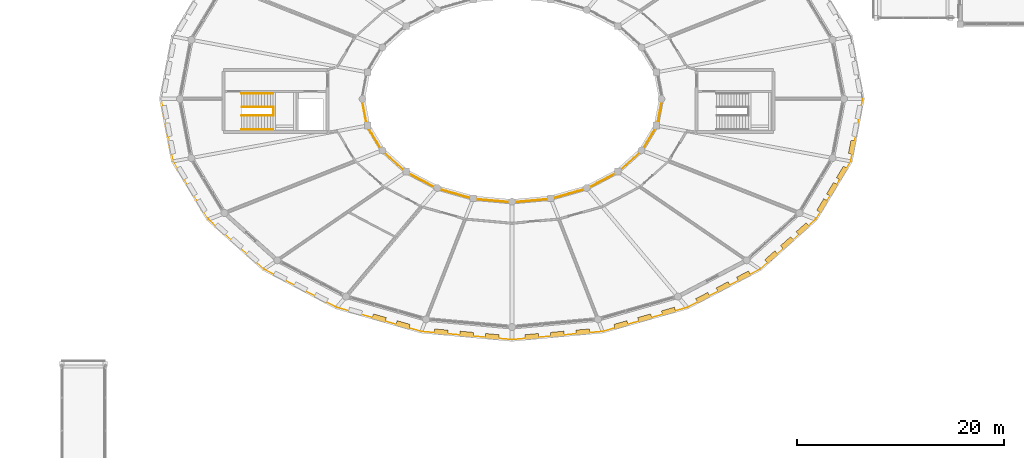
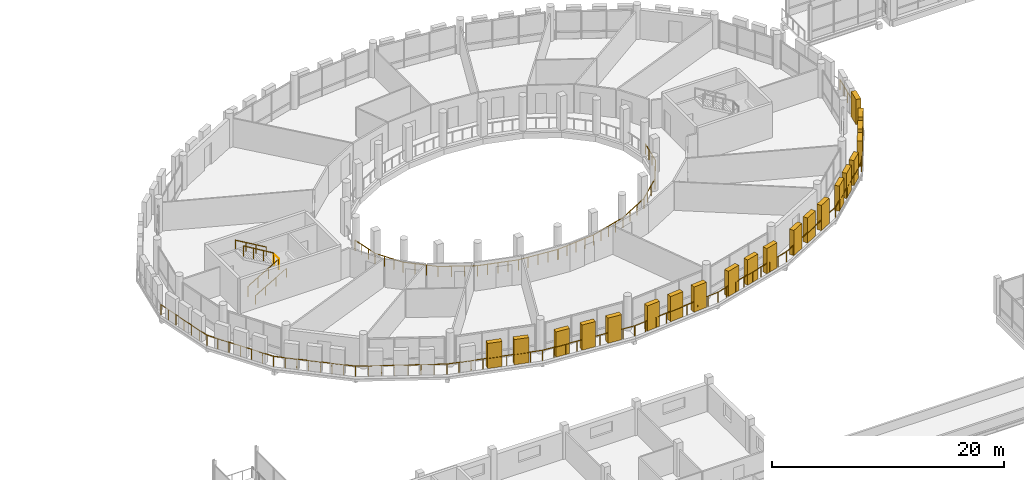
# One storey, part 123 of 128: 21 shading devices, 9 railings.
"""IFC4 building model written with IfcOpenShell, lengths in metres."""

from ifc_helpers import new_model, si_unit, direction, frame, origin, origin_2d, place, context, subcontext, project, spatial, rectangle, circle, extrude, material, type_object, element, save


model = new_model("IFC4")

# Units and contexts
model_context = context("Model", 3, precision=1e-05, world=origin(), true_north=direction((0.0, 1.0)))
body_context = subcontext(model_context, "Body", "Model", "MODEL_VIEW")
ifc_project = project(units=[si_unit("LENGTHUNIT", "METRE"), si_unit("AREAUNIT", "SQUARE_METRE"), si_unit("VOLUMEUNIT", "CUBIC_METRE"), si_unit("PLANEANGLEUNIT", "RADIAN"), si_unit("MASSUNIT", "GRAM", prefix="KILO")], contexts=[model_context])

# Site, building, storey
site_placement = place(None, origin())
site = spatial("IfcSite", under=ifc_project, at=site_placement, CompositionType="ELEMENT")
building_placement = place(site_placement, origin())
building = spatial("IfcBuilding", under=site, at=building_placement, Name="Zornivar Specialist Clinic", CompositionType="ELEMENT")
storey_placement = place(building_placement, frame((0.0, 0.0, 4.5)))
storey = spatial("IfcBuildingStorey", under=building, at=storey_placement, Name="L01", CompositionType="ELEMENT", Elevation=4.5)

# Railings
ifc_material_1 = material(Name="Painted Steel and Oiled Timber Balustrade", Category="steel")
railing_type_1 = type_object("IfcRailingType", Name="GRD-EXT-BALUST-1100", PredefinedType="BALUSTRADE", material=ifc_material_1)
railing_1_placement = place(storey_placement, frame((59.74609375, 57.571044921875, 0.0)))
element("IfcRailing", 1, at=railing_1_placement, inside=storey, type_object=railing_type_1, Name="rail:V1:L01:balc:q2", PredefinedType="BALUSTRADE", context=body_context, shape_type="SweptSolid", body=[
    extrude(circle(Radius=0.02392578125, at=origin_2d()), frame((0.0, 0.0, 1.076171875), z_axis=(0.188188814184, -0.982132867903, 0.0), x_axis=(0.982132867903, 0.188188814184, 0.0)), (0.0, 0.0, 1.0), 6.105224609375),
    extrude(circle(Radius=0.02392578125, at=origin_2d()), frame((1.14892578125, -5.99609375, 1.076171875), z_axis=(0.516422508188, -0.856333926127, 0.0), x_axis=(0.856333926127, 0.516422508188, 0.0)), (0.0, 0.0, 1.0), 6.5546875),
    extrude(circle(Radius=0.02392578125, at=origin_2d()), frame((4.533935546875, -11.609130859375, 1.076171875), z_axis=(0.745201542332, -0.666839306959, 0.0), x_axis=(0.666839306959, 0.745201542332, 0.0)), (0.0, 0.0, 1.0), 7.224853515625),
    extrude(circle(Radius=0.02392578125, at=origin_2d()), frame((9.91796875, -16.427001953125, 1.076171875), z_axis=(0.884811989173, -0.465948220101, 0.0), x_axis=(0.465948220101, 0.884811989173, 0.0)), (0.0, 0.0, 1.0), 7.92822265625),
    extrude(circle(Radius=0.02392578125, at=origin_2d()), frame((16.932861328125, -20.12109375, 1.076171875), z_axis=(0.961950479971, -0.273223853432, 0.0), x_axis=(0.273223853432, 0.961950479971, 0.0)), (0.0, 0.0, 1.0), 8.487060546875),
    extrude(circle(Radius=0.02392578125, at=origin_2d()), frame((25.096923828125, -22.43994140625, 1.076171875), z_axis=(0.995947380316, -0.089937843218, 0.0), x_axis=(0.089937843218, 0.995947380316, 0.0)), (0.0, 0.0, 1.0), 8.762451171875),
    extrude(circle(Radius=0.02099609375, at=origin_2d()), origin(), (0.0, 0.0, 1.0), 1.052001953125),
    extrude(circle(Radius=0.02099609375, at=origin_2d()), frame((0.19140625, -0.999267578125, 0.0)), (0.0, 0.0, 1.0), 1.052001953125),
    extrude(circle(Radius=0.02099609375, at=origin_2d()), frame((0.383056640625, -1.998779296875, 0.0)), (0.0, 0.0, 1.0), 1.052001953125),
    extrude(circle(Radius=0.02099609375, at=origin_2d()), frame((0.574462890625, -2.998046875, 0.0)), (0.0, 0.0, 1.0), 1.052001953125),
    extrude(circle(Radius=0.02099609375, at=origin_2d()), frame((0.765869140625, -3.997314453125, 0.0)), (0.0, 0.0, 1.0), 1.052001953125),
    extrude(circle(Radius=0.02099609375, at=origin_2d()), frame((0.95751953125, -4.996826171875, 0.0)), (0.0, 0.0, 1.0), 1.052001953125),
    extrude(circle(Radius=0.02099609375, at=origin_2d()), frame((1.14892578125, -5.99609375, 0.0)), (0.0, 0.0, 1.0), 1.052001953125),
    extrude(circle(Radius=0.02099609375, at=origin_2d()), frame((1.713134765625, -6.931640625, 0.0)), (0.0, 0.0, 1.0), 1.052001953125),
    extrude(circle(Radius=0.02099609375, at=origin_2d()), frame((2.27734375, -7.8671875, 0.0)), (0.0, 0.0, 1.0), 1.052001953125),
    extrude(circle(Radius=0.02099609375, at=origin_2d()), frame((2.84130859375, -8.802734375, 0.0)), (0.0, 0.0, 1.0), 1.052001953125),
    extrude(circle(Radius=0.02099609375, at=origin_2d()), frame((3.405517578125, -9.738037109375, 0.0)), (0.0, 0.0, 1.0), 1.052001953125),
    extrude(circle(Radius=0.02099609375, at=origin_2d()), frame((3.9697265625, -10.673583984375, 0.0)), (0.0, 0.0, 1.0), 1.052001953125),
    extrude(circle(Radius=0.02099609375, at=origin_2d()), frame((4.533935546875, -11.609130859375, 0.0)), (0.0, 0.0, 1.0), 1.052001953125),
    extrude(circle(Radius=0.02099609375, at=origin_2d()), frame((5.302978515625, -12.29736328125, 0.0)), (0.0, 0.0, 1.0), 1.052001953125),
    extrude(circle(Radius=0.02099609375, at=origin_2d()), frame((6.072265625, -12.985595703125, 0.0)), (0.0, 0.0, 1.0), 1.052001953125),
    extrude(circle(Radius=0.02099609375, at=origin_2d()), frame((6.84130859375, -13.673828125, 0.0)), (0.0, 0.0, 1.0), 1.052001953125),
    extrude(circle(Radius=0.02099609375, at=origin_2d()), frame((7.610595703125, -14.3623046875, 0.0)), (0.0, 0.0, 1.0), 1.052001953125),
    extrude(circle(Radius=0.02099609375, at=origin_2d()), frame((8.379638671875, -15.050537109375, 0.0)), (0.0, 0.0, 1.0), 1.052001953125),
    extrude(circle(Radius=0.02099609375, at=origin_2d()), frame((9.14892578125, -15.73876953125, 0.0)), (0.0, 0.0, 1.0), 1.052001953125),
    extrude(circle(Radius=0.02099609375, at=origin_2d()), frame((9.91796875, -16.427001953125, 0.0)), (0.0, 0.0, 1.0), 1.052001953125),
    extrude(circle(Radius=0.02099609375, at=origin_2d()), frame((10.920166015625, -16.954833984375, 0.0)), (0.0, 0.0, 1.0), 1.052001953125),
    extrude(circle(Radius=0.02099609375, at=origin_2d()), frame((11.922119140625, -17.482421875, 0.0)), (0.0, 0.0, 1.0), 1.052001953125),
    extrude(circle(Radius=0.02099609375, at=origin_2d()), frame((12.92431640625, -18.01025390625, 0.0)), (0.0, 0.0, 1.0), 1.052001953125),
    extrude(circle(Radius=0.02099609375, at=origin_2d()), frame((13.926513671875, -18.537841796875, 0.0)), (0.0, 0.0, 1.0), 1.052001953125),
    extrude(circle(Radius=0.02099609375, at=origin_2d()), frame((14.9287109375, -19.065673828125, 0.0)), (0.0, 0.0, 1.0), 1.052001953125),
    extrude(circle(Radius=0.02099609375, at=origin_2d()), frame((15.9306640625, -19.59326171875, 0.0)), (0.0, 0.0, 1.0), 1.052001953125),
    extrude(circle(Radius=0.02099609375, at=origin_2d()), frame((16.932861328125, -20.12109375, 0.0)), (0.0, 0.0, 1.0), 1.052001953125),
    extrude(circle(Radius=0.02099609375, at=origin_2d()), frame((17.953369140625, -20.410888671875, 0.0)), (0.0, 0.0, 1.0), 1.052001953125),
    extrude(circle(Radius=0.02099609375, at=origin_2d()), frame((18.973876953125, -20.70068359375, 0.0)), (0.0, 0.0, 1.0), 1.052001953125),
    extrude(circle(Radius=0.02099609375, at=origin_2d()), frame((19.994384765625, -20.99072265625, 0.0)), (0.0, 0.0, 1.0), 1.052001953125),
    extrude(circle(Radius=0.02099609375, at=origin_2d()), frame((21.014892578125, -21.280517578125, 0.0)), (0.0, 0.0, 1.0), 1.052001953125),
    extrude(circle(Radius=0.02099609375, at=origin_2d()), frame((22.035400390625, -21.5703125, 0.0)), (0.0, 0.0, 1.0), 1.052001953125),
    extrude(circle(Radius=0.02099609375, at=origin_2d()), frame((23.055908203125, -21.8603515625, 0.0)), (0.0, 0.0, 1.0), 1.052001953125),
    extrude(circle(Radius=0.02099609375, at=origin_2d()), frame((24.076416015625, -22.150146484375, 0.0)), (0.0, 0.0, 1.0), 1.052001953125),
    extrude(circle(Radius=0.02099609375, at=origin_2d()), frame((25.096923828125, -22.43994140625, 0.0)), (0.0, 0.0, 1.0), 1.052001953125),
    extrude(circle(Radius=0.02099609375, at=origin_2d()), frame((26.187744140625, -22.53857421875, 0.0)), (0.0, 0.0, 1.0), 1.052001953125),
    extrude(circle(Radius=0.02099609375, at=origin_2d()), frame((27.27880859375, -22.636962890625, 0.0)), (0.0, 0.0, 1.0), 1.052001953125),
    extrude(circle(Radius=0.02099609375, at=origin_2d()), frame((28.36962890625, -22.7353515625, 0.0)), (0.0, 0.0, 1.0), 1.052001953125),
    extrude(circle(Radius=0.02099609375, at=origin_2d()), frame((29.46044921875, -22.833984375, 0.0)), (0.0, 0.0, 1.0), 1.052001953125),
    extrude(circle(Radius=0.02099609375, at=origin_2d()), frame((30.55126953125, -22.9326171875, 0.0)), (0.0, 0.0, 1.0), 1.052001953125),
    extrude(circle(Radius=0.02099609375, at=origin_2d()), frame((31.64208984375, -23.031005859375, 0.0)), (0.0, 0.0, 1.0), 1.052001953125),
    extrude(circle(Radius=0.02099609375, at=origin_2d()), frame((32.733154296875, -23.12939453125, 0.0)), (0.0, 0.0, 1.0), 1.052001953125),
    extrude(circle(Radius=0.02099609375, at=origin_2d()), frame((33.823974609375, -23.22802734375, 0.0)), (0.0, 0.0, 1.0), 1.052001953125),
])
railing_2_placement = place(storey_placement, frame((93.6298828125, 34.343017578125, 0.0)))
element("IfcRailing", 2, at=railing_2_placement, inside=storey, type_object=railing_type_1, Name="rail:V1:L01:balc:q3", PredefinedType="BALUSTRADE", context=body_context, shape_type="SweptSolid", body=[
    extrude(circle(Radius=0.02392578125, at=origin_2d()), frame((0.0, 0.0, 1.076171875), z_axis=(0.995947380316, 0.089937843218, 0.0), x_axis=(-0.089937843218, 0.995947380316, 0.0)), (0.0, 0.0, 1.0), 8.762451171875),
    extrude(circle(Radius=0.02392578125, at=origin_2d()), frame((8.72705078125, 0.7880859375, 1.076171875), z_axis=(0.961950479971, 0.273223853432, 0.0), x_axis=(-0.273223853432, 0.961950479971, 0.0)), (0.0, 0.0, 1.0), 8.487060546875),
    extrude(circle(Radius=0.02392578125, at=origin_2d()), frame((16.89111328125, 3.10693359375, 1.076171875), z_axis=(0.884811989173, 0.465948220101, 0.0), x_axis=(-0.465948220101, 0.884811989173, 0.0)), (0.0, 0.0, 1.0), 7.92822265625),
    extrude(circle(Radius=0.02392578125, at=origin_2d()), frame((23.906005859375, 6.801025390625, 1.076171875), z_axis=(0.745201542332, 0.666839306959, 0.0), x_axis=(-0.666839306959, 0.745201542332, 0.0)), (0.0, 0.0, 1.0), 7.224853515625),
    extrude(circle(Radius=0.02392578125, at=origin_2d()), frame((29.2900390625, 11.618896484375, 1.076171875), z_axis=(0.516422508188, 0.856333926127, 0.0), x_axis=(-0.856333926127, 0.516422508188, 0.0)), (0.0, 0.0, 1.0), 6.5546875),
    extrude(circle(Radius=0.02392578125, at=origin_2d()), frame((32.675048828125, 17.23193359375, 1.076171875), z_axis=(0.188227386656, 0.982125476155, 0.0), x_axis=(-0.982125476155, 0.188227386656, 0.0)), (0.0, 0.0, 1.0), 6.105224609375),
    extrude(circle(Radius=0.02099609375, at=origin_2d()), origin(), (0.0, 0.0, 1.0), 1.052001953125),
    extrude(circle(Radius=0.02099609375, at=origin_2d()), frame((1.0908203125, 0.0986328125, 0.0)), (0.0, 0.0, 1.0), 1.052001953125),
    extrude(circle(Radius=0.02099609375, at=origin_2d()), frame((2.181640625, 0.197021484375, 0.0)), (0.0, 0.0, 1.0), 1.052001953125),
    extrude(circle(Radius=0.02099609375, at=origin_2d()), frame((3.272705078125, 0.29541015625, 0.0)), (0.0, 0.0, 1.0), 1.052001953125),
    extrude(circle(Radius=0.02099609375, at=origin_2d()), frame((4.363525390625, 0.39404296875, 0.0)), (0.0, 0.0, 1.0), 1.052001953125),
    extrude(circle(Radius=0.02099609375, at=origin_2d()), frame((5.454345703125, 0.49267578125, 0.0)), (0.0, 0.0, 1.0), 1.052001953125),
    extrude(circle(Radius=0.02099609375, at=origin_2d()), frame((6.54541015625, 0.591064453125, 0.0)), (0.0, 0.0, 1.0), 1.052001953125),
    extrude(circle(Radius=0.02099609375, at=origin_2d()), frame((7.63623046875, 0.689453125, 0.0)), (0.0, 0.0, 1.0), 1.052001953125),
    extrude(circle(Radius=0.02099609375, at=origin_2d()), frame((8.72705078125, 0.7880859375, 0.0)), (0.0, 0.0, 1.0), 1.052001953125),
    extrude(circle(Radius=0.02099609375, at=origin_2d()), frame((9.74755859375, 1.077880859375, 0.0)), (0.0, 0.0, 1.0), 1.052001953125),
    extrude(circle(Radius=0.02099609375, at=origin_2d()), frame((10.76806640625, 1.36767578125, 0.0)), (0.0, 0.0, 1.0), 1.052001953125),
    extrude(circle(Radius=0.02099609375, at=origin_2d()), frame((11.78857421875, 1.65771484375, 0.0)), (0.0, 0.0, 1.0), 1.052001953125),
    extrude(circle(Radius=0.02099609375, at=origin_2d()), frame((12.80908203125, 1.947509765625, 0.0)), (0.0, 0.0, 1.0), 1.052001953125),
    extrude(circle(Radius=0.02099609375, at=origin_2d()), frame((13.82958984375, 2.2373046875, 0.0)), (0.0, 0.0, 1.0), 1.052001953125),
    extrude(circle(Radius=0.02099609375, at=origin_2d()), frame((14.85009765625, 2.52734375, 0.0)), (0.0, 0.0, 1.0), 1.052001953125),
    extrude(circle(Radius=0.02099609375, at=origin_2d()), frame((15.87060546875, 2.817138671875, 0.0)), (0.0, 0.0, 1.0), 1.052001953125),
    extrude(circle(Radius=0.02099609375, at=origin_2d()), frame((16.89111328125, 3.10693359375, 0.0)), (0.0, 0.0, 1.0), 1.052001953125),
    extrude(circle(Radius=0.02099609375, at=origin_2d()), frame((17.893310546875, 3.634765625, 0.0)), (0.0, 0.0, 1.0), 1.052001953125),
    extrude(circle(Radius=0.02099609375, at=origin_2d()), frame((18.895263671875, 4.162353515625, 0.0)), (0.0, 0.0, 1.0), 1.052001953125),
    extrude(circle(Radius=0.02099609375, at=origin_2d()), frame((19.8974609375, 4.690185546875, 0.0)), (0.0, 0.0, 1.0), 1.052001953125),
    extrude(circle(Radius=0.02099609375, at=origin_2d()), frame((20.899658203125, 5.2177734375, 0.0)), (0.0, 0.0, 1.0), 1.052001953125),
    extrude(circle(Radius=0.02099609375, at=origin_2d()), frame((21.90185546875, 5.74560546875, 0.0)), (0.0, 0.0, 1.0), 1.052001953125),
    extrude(circle(Radius=0.02099609375, at=origin_2d()), frame((22.90380859375, 6.273193359375, 0.0)), (0.0, 0.0, 1.0), 1.052001953125),
    extrude(circle(Radius=0.02099609375, at=origin_2d()), frame((23.906005859375, 6.801025390625, 0.0)), (0.0, 0.0, 1.0), 1.052001953125),
    extrude(circle(Radius=0.02099609375, at=origin_2d()), frame((24.675048828125, 7.4892578125, 0.0)), (0.0, 0.0, 1.0), 1.052001953125),
    extrude(circle(Radius=0.02099609375, at=origin_2d()), frame((25.4443359375, 8.177490234375, 0.0)), (0.0, 0.0, 1.0), 1.052001953125),
    extrude(circle(Radius=0.02099609375, at=origin_2d()), frame((26.21337890625, 8.86572265625, 0.0)), (0.0, 0.0, 1.0), 1.052001953125),
    extrude(circle(Radius=0.02099609375, at=origin_2d()), frame((26.982666015625, 9.55419921875, 0.0)), (0.0, 0.0, 1.0), 1.052001953125),
    extrude(circle(Radius=0.02099609375, at=origin_2d()), frame((27.751708984375, 10.242431640625, 0.0)), (0.0, 0.0, 1.0), 1.052001953125),
    extrude(circle(Radius=0.02099609375, at=origin_2d()), frame((28.52099609375, 10.9306640625, 0.0)), (0.0, 0.0, 1.0), 1.052001953125),
    extrude(circle(Radius=0.02099609375, at=origin_2d()), frame((29.2900390625, 11.618896484375, 0.0)), (0.0, 0.0, 1.0), 1.052001953125),
    extrude(circle(Radius=0.02099609375, at=origin_2d()), frame((29.854248046875, 12.554443359375, 0.0)), (0.0, 0.0, 1.0), 1.052001953125),
    extrude(circle(Radius=0.02099609375, at=origin_2d()), frame((30.41845703125, 13.489990234375, 0.0)), (0.0, 0.0, 1.0), 1.052001953125),
    extrude(circle(Radius=0.02099609375, at=origin_2d()), frame((30.982421875, 14.42529296875, 0.0)), (0.0, 0.0, 1.0), 1.052001953125),
    extrude(circle(Radius=0.02099609375, at=origin_2d()), frame((31.546630859375, 15.36083984375, 0.0)), (0.0, 0.0, 1.0), 1.052001953125),
    extrude(circle(Radius=0.02099609375, at=origin_2d()), frame((32.11083984375, 16.29638671875, 0.0)), (0.0, 0.0, 1.0), 1.052001953125),
    extrude(circle(Radius=0.02099609375, at=origin_2d()), frame((32.675048828125, 17.23193359375, 0.0)), (0.0, 0.0, 1.0), 1.052001953125),
    extrude(circle(Radius=0.02099609375, at=origin_2d()), frame((32.86669921875, 18.231201171875, 0.0)), (0.0, 0.0, 1.0), 1.052001953125),
    extrude(circle(Radius=0.02099609375, at=origin_2d()), frame((33.05810546875, 19.230712890625, 0.0)), (0.0, 0.0, 1.0), 1.052001953125),
    extrude(circle(Radius=0.02099609375, at=origin_2d()), frame((33.24951171875, 20.22998046875, 0.0)), (0.0, 0.0, 1.0), 1.052001953125),
    extrude(circle(Radius=0.02099609375, at=origin_2d()), frame((33.441162109375, 21.229248046875, 0.0)), (0.0, 0.0, 1.0), 1.052001953125),
    extrude(circle(Radius=0.02099609375, at=origin_2d()), frame((33.6328125, 22.228759765625, 0.0)), (0.0, 0.0, 1.0), 1.052001953125),
    extrude(circle(Radius=0.02099609375, at=origin_2d()), frame((33.82421875, 23.22802734375, 0.0)), (0.0, 0.0, 1.0), 1.052001953125),
])
ifc_material_2 = material(Name="Brushed Stainless Steel Stair Guardrail", Category="steel")
railing_type_2 = type_object("IfcRailingType", Name="GRD-INT-STAIR-1100", PredefinedType="GUARDRAIL", material=ifc_material_2)
railing_3_placement = place(storey_placement, frame((67.5400390625, 55.97998046875, 0.162109375)))
element("IfcRailing", 3, at=railing_3_placement, inside=storey, type_object=railing_type_2, Name="stair:C3:L01:grd1", PredefinedType="GUARDRAIL", context=body_context, shape_type="SweptSolid", body=[
    extrude(circle(Radius=0.02392578125, at=origin_2d()), frame((0.0, 0.0, 1.076171875), z_axis=(0.859025016629, 0.0, 0.511933609764), x_axis=(0.0, 1.0, 0.0)), (0.0, 0.0, 1.0), 3.492431640625),
    extrude(circle(Radius=0.02099609375, at=origin_2d()), origin(), (0.0, 0.0, 1.0), 1.052001953125),
    extrude(circle(Radius=0.02099609375, at=origin_2d()), frame((1.0, 0.0, 0.595947265625)), (0.0, 0.0, 1.0), 1.052001953125),
    extrude(circle(Radius=0.02099609375, at=origin_2d()), frame((2.0, 0.0, 1.19189453125)), (0.0, 0.0, 1.0), 1.052001953125),
    extrude(circle(Radius=0.02099609375, at=origin_2d()), frame((3.0, 0.0, 1.787841796875)), (0.0, 0.0, 1.0), 1.052001953125),
])
railing_4_placement = place(storey_placement, frame((70.5400390625, 56.820068359375, 2.112060546875)))
element("IfcRailing", 4, at=railing_4_placement, inside=storey, type_object=railing_type_2, Name="stair:C3:L01:grd2", PredefinedType="GUARDRAIL", context=body_context, shape_type="SweptSolid", body=[
    extrude(circle(Radius=0.02392578125, at=origin_2d()), frame((0.0, 0.0, 1.076171875), z_axis=(-0.857511521609, 0.0, 0.514464760998), x_axis=(0.0, -1.0, 0.0)), (0.0, 0.0, 1.0), 3.47509765625),
    extrude(circle(Radius=0.02099609375, at=origin_2d()), origin(), (0.0, 0.0, 1.0), 1.052001953125),
    extrude(circle(Radius=0.02099609375, at=origin_2d()), frame((-0.993408203125, 0.0, 0.595947265625)), (0.0, 0.0, 1.0), 1.052001953125),
    extrude(circle(Radius=0.02099609375, at=origin_2d()), frame((-1.986572265625, 0.0, 1.19189453125)), (0.0, 0.0, 1.0), 1.052001953125),
    extrude(circle(Radius=0.02099609375, at=origin_2d()), frame((-2.97998046875, 0.0, 1.787841796875)), (0.0, 0.0, 1.0), 1.052001953125),
])
railing_5_placement = place(storey_placement, frame((70.610107421875, 55.97998046875, 1.949951171875)))
element("IfcRailing", 5, at=railing_5_placement, inside=storey, type_object=railing_type_2, Name="stair:C3:L01:grdl", PredefinedType="GUARDRAIL", context=body_context, shape_type="SweptSolid", body=[
    extrude(circle(Radius=0.02392578125, at=origin_2d()), frame((0.0, 0.0, 1.076171875), z_axis=(0.0, 1.0, 0.0), x_axis=(-1.0, 0.0, 0.0)), (0.0, 0.0, 1.0), 0.840087890625),
    extrude(circle(Radius=0.02099609375, at=origin_2d()), origin(), (0.0, 0.0, 1.0), 1.052001953125),
    extrude(circle(Radius=0.02099609375, at=origin_2d()), frame((0.0, 0.840087890625, 0.0)), (0.0, 0.0, 1.0), 1.052001953125),
])
railing_6_placement = place(storey_placement, frame((79.1259765625, 57.571044921875, 0.0)))
element("IfcRailing", 6, at=railing_6_placement, inside=storey, type_object=railing_type_2, Name="sg:V1:L01:atrium:q2", PredefinedType="GUARDRAIL", context=body_context, shape_type="SweptSolid", body=[
    extrude(circle(Radius=0.02392578125, at=origin_2d()), frame((0.0, 0.0, 1.076171875), z_axis=(0.187453881852, -0.982273405004, 0.0), x_axis=(0.982273405004, 0.187453881852, 0.0)), (0.0, 0.0, 1.0), 2.593017578125),
    extrude(circle(Radius=0.02392578125, at=origin_2d()), frame((0.486083984375, -2.547119140625, 1.076171875), z_axis=(0.51464941973, -0.857400708404, 0.0), x_axis=(0.857400708404, 0.51464941973, 0.0)), (0.0, 0.0, 1.0), 2.8037109375),
    extrude(circle(Radius=0.02392578125, at=origin_2d()), frame((1.928955078125, -4.950927734375, 1.076171875), z_axis=(0.74365166795, -0.668567271675, 0.0), x_axis=(0.668567271675, 0.74365166795, 0.0)), (0.0, 0.0, 1.0), 3.0888671875),
    extrude(circle(Radius=0.02392578125, at=origin_2d()), frame((4.22607421875, -7.01611328125, 1.076171875), z_axis=(0.883402524363, -0.46861495916, 0.0), x_axis=(0.46861495916, 0.883402524363, 0.0)), (0.0, 0.0, 1.0), 3.392578125),
    extrude(circle(Radius=0.02392578125, at=origin_2d()), frame((7.22314453125, -8.60595703125, 1.076171875), z_axis=(0.961186230387, -0.275900399627, 0.0), x_axis=(0.275900399627, 0.961186230387, 0.0)), (0.0, 0.0, 1.0), 3.635986328125),
    extrude(circle(Radius=0.02392578125, at=origin_2d()), frame((10.718017578125, -9.609130859375, 1.076171875), z_axis=(0.995889996682, -0.090571046743, 0.0), x_axis=(0.090571046743, 0.995889996682, 0.0)), (0.0, 0.0, 1.0), 3.741455078125),
    extrude(circle(Radius=0.02099609375, at=origin_2d()), origin(), (0.0, 0.0, 1.0), 1.052001953125),
    extrude(circle(Radius=0.02099609375, at=origin_2d()), frame((0.162109375, -0.84912109375, 0.0)), (0.0, 0.0, 1.0), 1.052001953125),
    extrude(circle(Radius=0.02099609375, at=origin_2d()), frame((0.323974609375, -1.697998046875, 0.0)), (0.0, 0.0, 1.0), 1.052001953125),
    extrude(circle(Radius=0.02099609375, at=origin_2d()), frame((0.486083984375, -2.547119140625, 0.0)), (0.0, 0.0, 1.0), 1.052001953125),
    extrude(circle(Radius=0.02099609375, at=origin_2d()), frame((0.967041015625, -3.348388671875, 0.0)), (0.0, 0.0, 1.0), 1.052001953125),
    extrude(circle(Radius=0.02099609375, at=origin_2d()), frame((1.447998046875, -4.149658203125, 0.0)), (0.0, 0.0, 1.0), 1.052001953125),
    extrude(circle(Radius=0.02099609375, at=origin_2d()), frame((1.928955078125, -4.950927734375, 0.0)), (0.0, 0.0, 1.0), 1.052001953125),
    extrude(circle(Radius=0.02099609375, at=origin_2d()), frame((2.694580078125, -5.639404296875, 0.0)), (0.0, 0.0, 1.0), 1.052001953125),
    extrude(circle(Radius=0.02099609375, at=origin_2d()), frame((3.46044921875, -6.32763671875, 0.0)), (0.0, 0.0, 1.0), 1.052001953125),
    extrude(circle(Radius=0.02099609375, at=origin_2d()), frame((4.22607421875, -7.01611328125, 0.0)), (0.0, 0.0, 1.0), 1.052001953125),
    extrude(circle(Radius=0.02099609375, at=origin_2d()), frame((5.22509765625, -7.546142578125, 0.0)), (0.0, 0.0, 1.0), 1.052001953125),
    extrude(circle(Radius=0.02099609375, at=origin_2d()), frame((6.22412109375, -8.075927734375, 0.0)), (0.0, 0.0, 1.0), 1.052001953125),
    extrude(circle(Radius=0.02099609375, at=origin_2d()), frame((7.22314453125, -8.60595703125, 0.0)), (0.0, 0.0, 1.0), 1.052001953125),
    extrude(circle(Radius=0.02099609375, at=origin_2d()), frame((8.096923828125, -8.856689453125, 0.0)), (0.0, 0.0, 1.0), 1.052001953125),
    extrude(circle(Radius=0.02099609375, at=origin_2d()), frame((8.970703125, -9.107421875, 0.0)), (0.0, 0.0, 1.0), 1.052001953125),
    extrude(circle(Radius=0.02099609375, at=origin_2d()), frame((9.84423828125, -9.3583984375, 0.0)), (0.0, 0.0, 1.0), 1.052001953125),
    extrude(circle(Radius=0.02099609375, at=origin_2d()), frame((10.718017578125, -9.609130859375, 0.0)), (0.0, 0.0, 1.0), 1.052001953125),
    extrude(circle(Radius=0.02099609375, at=origin_2d()), frame((11.6494140625, -9.69384765625, 0.0)), (0.0, 0.0, 1.0), 1.052001953125),
    extrude(circle(Radius=0.02099609375, at=origin_2d()), frame((12.5810546875, -9.778564453125, 0.0)), (0.0, 0.0, 1.0), 1.052001953125),
    extrude(circle(Radius=0.02099609375, at=origin_2d()), frame((13.5126953125, -9.86328125, 0.0)), (0.0, 0.0, 1.0), 1.052001953125),
    extrude(circle(Radius=0.02099609375, at=origin_2d()), frame((14.444091796875, -9.947998046875, 0.0)), (0.0, 0.0, 1.0), 1.052001953125),
])
railing_7_placement = place(storey_placement, frame((93.6298828125, 47.623046875, 0.0)))
element("IfcRailing", 7, at=railing_7_placement, inside=storey, type_object=railing_type_2, Name="sg:V1:L01:atrium:q3", PredefinedType="GUARDRAIL", context=body_context, shape_type="SweptSolid", body=[
    extrude(circle(Radius=0.02392578125, at=origin_2d()), frame((0.0, 0.0, 1.076171875), z_axis=(0.995889996682, 0.090571046743, 0.0), x_axis=(-0.090571046743, 0.995889996682, 0.0)), (0.0, 0.0, 1.0), 3.741455078125),
    extrude(circle(Radius=0.02392578125, at=origin_2d()), frame((3.72607421875, 0.3388671875, 1.076171875), z_axis=(0.961191341068, 0.275882594332, 0.0), x_axis=(-0.275882594332, 0.961191341068, 0.0)), (0.0, 0.0, 1.0), 3.63623046875),
    extrude(circle(Radius=0.02392578125, at=origin_2d()), frame((7.22119140625, 1.342041015625, 1.076171875), z_axis=(0.883386720056, 0.468644751202, 0.0), x_axis=(-0.468644751202, 0.883386720056, 0.0)), (0.0, 0.0, 1.0), 3.392333984375),
    extrude(circle(Radius=0.02392578125, at=origin_2d()), frame((10.218017578125, 2.931884765625, 1.076171875), z_axis=(0.74365166795, 0.668567271675, 0.0), x_axis=(-0.668567271675, 0.74365166795, 0.0)), (0.0, 0.0, 1.0), 3.0888671875),
    extrude(circle(Radius=0.02392578125, at=origin_2d()), frame((12.51513671875, 4.9970703125, 1.076171875), z_axis=(0.51464941973, 0.857400708404, 0.0), x_axis=(-0.857400708404, 0.51464941973, 0.0)), (0.0, 0.0, 1.0), 2.8037109375),
    extrude(circle(Radius=0.02392578125, at=origin_2d()), frame((13.9580078125, 7.40087890625, 1.076171875), z_axis=(0.187453881852, 0.982273405004, 0.0), x_axis=(-0.982273405004, 0.187453881852, 0.0)), (0.0, 0.0, 1.0), 2.593017578125),
    extrude(circle(Radius=0.02099609375, at=origin_2d()), origin(), (0.0, 0.0, 1.0), 1.052001953125),
    extrude(circle(Radius=0.02099609375, at=origin_2d()), frame((0.931640625, 0.084716796875, 0.0)), (0.0, 0.0, 1.0), 1.052001953125),
    extrude(circle(Radius=0.02099609375, at=origin_2d()), frame((1.863037109375, 0.16943359375, 0.0)), (0.0, 0.0, 1.0), 1.052001953125),
    extrude(circle(Radius=0.02099609375, at=origin_2d()), frame((2.79443359375, 0.254150390625, 0.0)), (0.0, 0.0, 1.0), 1.052001953125),
    extrude(circle(Radius=0.02099609375, at=origin_2d()), frame((3.72607421875, 0.3388671875, 0.0)), (0.0, 0.0, 1.0), 1.052001953125),
    extrude(circle(Radius=0.02099609375, at=origin_2d()), frame((4.599853515625, 0.589599609375, 0.0)), (0.0, 0.0, 1.0), 1.052001953125),
    extrude(circle(Radius=0.02099609375, at=origin_2d()), frame((5.4736328125, 0.84033203125, 0.0)), (0.0, 0.0, 1.0), 1.052001953125),
    extrude(circle(Radius=0.02099609375, at=origin_2d()), frame((6.347412109375, 1.09130859375, 0.0)), (0.0, 0.0, 1.0), 1.052001953125),
    extrude(circle(Radius=0.02099609375, at=origin_2d()), frame((7.22119140625, 1.342041015625, 0.0)), (0.0, 0.0, 1.0), 1.052001953125),
    extrude(circle(Radius=0.02099609375, at=origin_2d()), frame((8.22021484375, 1.8720703125, 0.0)), (0.0, 0.0, 1.0), 1.052001953125),
    extrude(circle(Radius=0.02099609375, at=origin_2d()), frame((9.218994140625, 2.40185546875, 0.0)), (0.0, 0.0, 1.0), 1.052001953125),
    extrude(circle(Radius=0.02099609375, at=origin_2d()), frame((10.218017578125, 2.931884765625, 0.0)), (0.0, 0.0, 1.0), 1.052001953125),
    extrude(circle(Radius=0.02099609375, at=origin_2d()), frame((10.983642578125, 3.620361328125, 0.0)), (0.0, 0.0, 1.0), 1.052001953125),
    extrude(circle(Radius=0.02099609375, at=origin_2d()), frame((11.74951171875, 4.30859375, 0.0)), (0.0, 0.0, 1.0), 1.052001953125),
    extrude(circle(Radius=0.02099609375, at=origin_2d()), frame((12.51513671875, 4.9970703125, 0.0)), (0.0, 0.0, 1.0), 1.052001953125),
    extrude(circle(Radius=0.02099609375, at=origin_2d()), frame((12.99609375, 5.79833984375, 0.0)), (0.0, 0.0, 1.0), 1.052001953125),
    extrude(circle(Radius=0.02099609375, at=origin_2d()), frame((13.47705078125, 6.599609375, 0.0)), (0.0, 0.0, 1.0), 1.052001953125),
    extrude(circle(Radius=0.02099609375, at=origin_2d()), frame((13.9580078125, 7.40087890625, 0.0)), (0.0, 0.0, 1.0), 1.052001953125),
    extrude(circle(Radius=0.02099609375, at=origin_2d()), frame((14.1201171875, 8.25, 0.0)), (0.0, 0.0, 1.0), 1.052001953125),
    extrude(circle(Radius=0.02099609375, at=origin_2d()), frame((14.281982421875, 9.098876953125, 0.0)), (0.0, 0.0, 1.0), 1.052001953125),
    extrude(circle(Radius=0.02099609375, at=origin_2d()), frame((14.444091796875, 9.947998046875, 0.0)), (0.0, 0.0, 1.0), 1.052001953125),
])
ifc_material_3 = material(Name="Brushed Stainless Steel Continuous Handrail", Category="steel")
railing_type_3 = type_object("IfcRailingType", Name="HRL-STAIR-0920", PredefinedType="HANDRAIL", material=ifc_material_3)
railing_8_placement = place(storey_placement, frame((67.5, 54.669921875, 0.162109375)))
element("IfcRailing", 8, at=railing_8_placement, inside=storey, type_object=railing_type_3, Name="stair:C3:L01:hr1", PredefinedType="HANDRAIL", context=body_context, shape_type="SweptSolid", body=[
    extrude(circle(Radius=0.02392578125, at=origin_2d()), frame((0.0, 0.0, 0.89599609375), z_axis=(0.864860958069, 0.0, 0.502011477167), x_axis=(0.0, 1.0, 0.0)), (0.0, 0.0, 1.0), 3.561279296875),
    extrude(circle(Radius=0.02099609375, at=origin_2d()), origin(), (0.0, 0.0, 1.0), 0.871826171875),
    extrude(circle(Radius=0.02099609375, at=origin_2d()), frame((1.026611328125, 0.0, 0.595947265625)), (0.0, 0.0, 1.0), 0.871826171875),
    extrude(circle(Radius=0.02099609375, at=origin_2d()), frame((2.053466796875, 0.0, 1.19189453125)), (0.0, 0.0, 1.0), 0.871826171875),
    extrude(circle(Radius=0.02099609375, at=origin_2d()), frame((3.080078125, 0.0, 1.787841796875)), (0.0, 0.0, 1.0), 0.871826171875),
])
railing_9_placement = place(storey_placement, frame((70.580078125, 58.1298828125, 2.112060546875)))
element("IfcRailing", 9, at=railing_9_placement, inside=storey, type_object=railing_type_3, Name="stair:C3:L01:hr2", PredefinedType="HANDRAIL", context=body_context, shape_type="SweptSolid", body=[
    extrude(circle(Radius=0.02392578125, at=origin_2d()), frame((0.0, 0.0, 0.89599609375), z_axis=(-0.863433905042, 0.0, 0.504461982338), x_axis=(0.0, -1.0, 0.0)), (0.0, 0.0, 1.0), 3.5439453125),
    extrude(circle(Radius=0.02099609375, at=origin_2d()), origin(), (0.0, 0.0, 1.0), 0.871826171875),
    extrude(circle(Radius=0.02099609375, at=origin_2d()), frame((-1.02001953125, 0.0, 0.595947265625)), (0.0, 0.0, 1.0), 0.871826171875),
    extrude(circle(Radius=0.02099609375, at=origin_2d()), frame((-2.0400390625, 0.0, 1.19189453125)), (0.0, 0.0, 1.0), 0.871826171875),
    extrude(circle(Radius=0.02099609375, at=origin_2d()), frame((-3.06005859375, 0.0, 1.787841796875)), (0.0, 0.0, 1.0), 0.871826171875),
])

# Shading devices
ifc_material_4 = material(Name="Oiled European Larch Timber Louvre Shutter", Category="wood")
shading_device_type = type_object("IfcShadingDeviceType", Name="SHD-DRUM-SHUTTER-450", PredefinedType="SHUTTER", material=ifc_material_4)
for number, where, z_axis, x_axis, name in (
    (10, (80.799072265625, 36.47998046875, 0.0), (0.0, 0.0, 1.0), (0.961785255901, -0.273804896838, 0.0), "shutter:V1:L01:c16:1"),
    (11, (83.090087890625, 35.827880859375, 0.0), (0.0, 0.0, 1.0), (0.961785255901, -0.273804896838, 0.0), "shutter:V1:L01:c16:2"),
    (12, (86.77490234375, 35.14892578125, 0.0), (0.0, 0.0, 1.0), (0.995924761284, -0.090187969607, 0.0), "shutter:V1:L01:c17:0"),
    (13, (89.23291015625, 34.926025390625, 0.0), (0.0, 0.0, 1.0), (0.995924761284, -0.090187969607, 0.0), "shutter:V1:L01:c17:1"),
    (14, (91.69091796875, 34.7041015625, 0.0), (0.0, 0.0, 1.0), (0.995924761284, -0.090187969607, 0.0), "shutter:V1:L01:c17:2"),
    (15, (95.509033203125, 34.7041015625, 0.0), (0.0, 0.0, 1.0), (0.995924761284, 0.090187969607, 0.0), "shutter:V1:L01:c18:0"),
    (16, (97.967041015625, 34.926025390625, 0.0), (0.0, 0.0, 1.0), (0.995924761284, 0.090187969607, 0.0), "shutter:V1:L01:c18:1"),
    (17, (100.425048828125, 35.14892578125, 0.0), (0.0, 0.0, 1.0), (0.995924761284, 0.090187969607, 0.0), "shutter:V1:L01:c18:2"),
    (18, (104.110107421875, 35.827880859375, 0.0), (0.0, 0.0, 1.0), (0.961785255901, 0.273804896838, 0.0), "shutter:V1:L01:c19:0"),
    (19, (106.40087890625, 36.47998046875, 0.0), (0.0, 0.0, 1.0), (0.961785255901, 0.273804896838, 0.0), "shutter:V1:L01:c19:1"),
    (20, (108.69189453125, 37.132080078125, 0.0), (0.0, 0.0, 1.0), (0.961785255901, 0.273804896838, 0.0), "shutter:V1:L01:c19:2"),
    (21, (111.989013671875, 38.43994140625, 0.0), (0.0, 0.0, 1.0), (0.884469914632, 0.466597224713, 0.0), "shutter:V1:L01:c20:0"),
    (22, (113.9560546875, 39.47802734375, 0.0), (0.0, 0.0, 1.0), (0.884469914632, 0.466597224713, 0.0), "shutter:V1:L01:c20:1"),
    (23, (115.923095703125, 40.51611328125, 0.0), (0.0, 0.0, 1.0), (0.884469914632, 0.466597224713, 0.0), "shutter:V1:L01:c20:2"),
    (24, (118.60400390625, 42.35888671875, 0.0), (0.0, 0.0, 1.0), (0.744796712128, 0.667291433785, 0.0), "shutter:V1:L01:c21:0"),
    (25, (120.114013671875, 43.7109375, 0.0), (0.0, 0.0, 1.0), (0.744796712128, 0.667291433785, 0.0), "shutter:V1:L01:c21:1"),
    (26, (121.623046875, 45.06396484375, 0.0), (0.0, 0.0, 1.0), (0.744796712128, 0.667291433785, 0.0), "shutter:V1:L01:c21:2"),
    (27, (123.507080078125, 47.305908203125, 0.0), (0.0, 0.0, 1.0), (0.516018019467, 0.856577727696, 0.0), "shutter:V1:L01:c22:0"),
    (28, (124.4560546875, 48.881103515625, 0.0), (0.0, 0.0, 1.0), (0.516018019467, 0.856577727696, 0.0), "shutter:V1:L01:c22:1"),
    (29, (125.404052734375, 50.4560546875, 0.0), (0.0, 0.0, 1.0), (0.516018019467, 0.856577727696, 0.0), "shutter:V1:L01:c22:2"),
    (30, (126.373046875, 52.93896484375, 0.0), (0.0, 0.0, 1.0), (0.188098987302, 0.982150075587, 0.0), "shutter:V1:L01:c23:0"),
):
    element("IfcShadingDevice", number, at=place(storey_placement, frame(where, z_axis=z_axis, x_axis=x_axis)), inside=storey, type_object=shading_device_type, Name=name, PredefinedType="SHUTTER", context=body_context, shape_type="SweptSolid", body=[
        extrude(rectangle(XDim=1.300048828125, YDim=0.449951171875, at=origin_2d()), origin(), (0.0, 0.0, 1.0), 2.64990234375),
    ])

save(model, "model.ifc")
